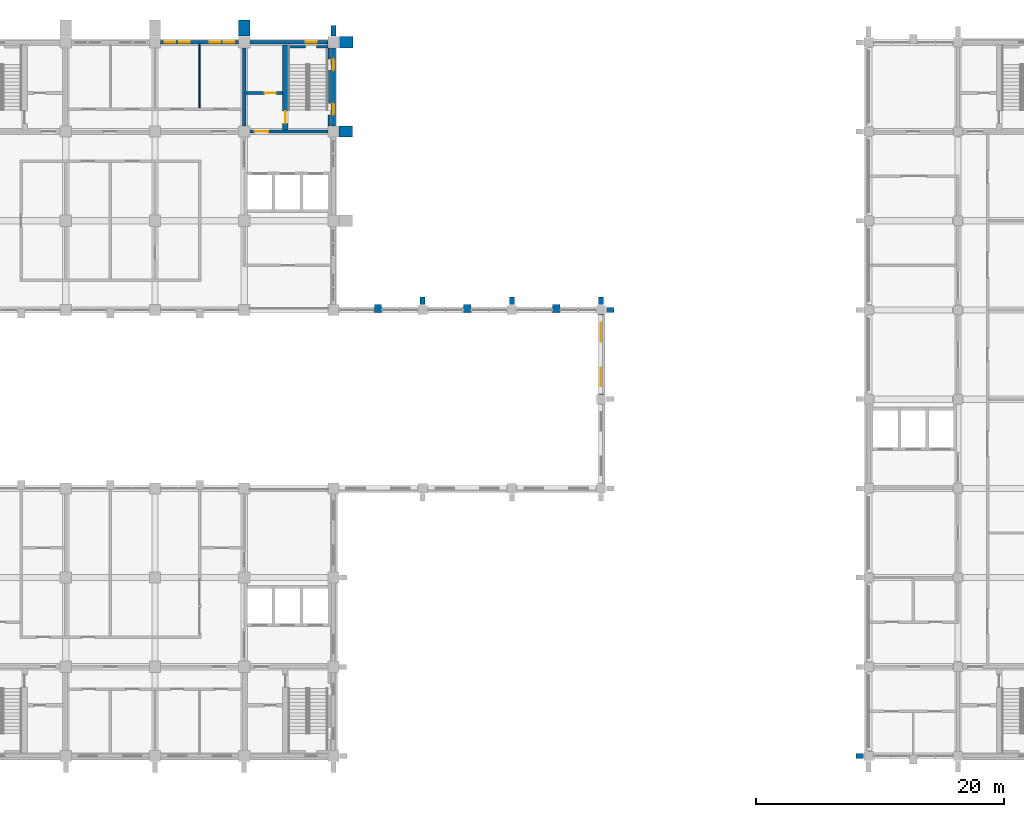
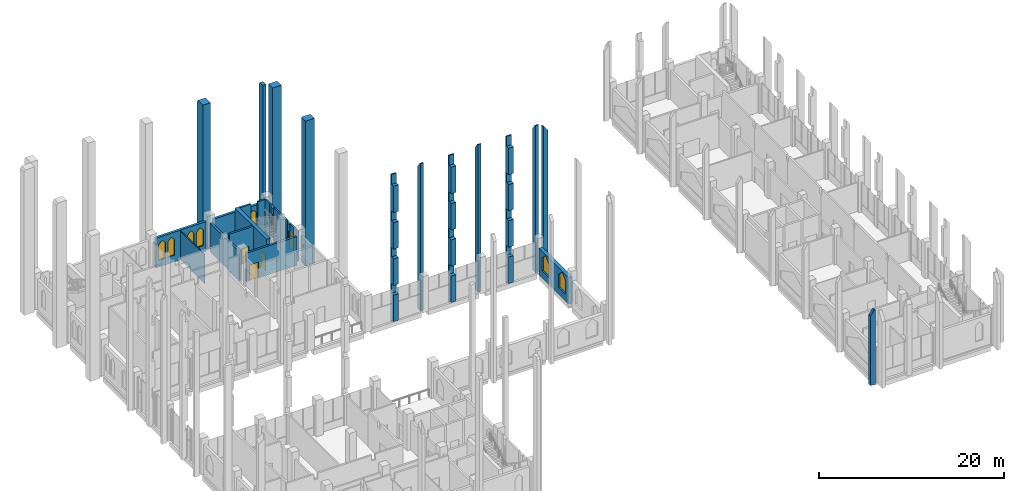
# One storey, part 33 of 40: 26 walls, 9 windows, 3 doors, 12 openings.
"""IFC4 building model written with IfcOpenShell, lengths in metres."""

from ifc_helpers import new_model, si_unit, direction, frame, frame_2d, origin, place, context, subcontext, project, spatial, polyline, rectangle, outline, extrude, material, layer, layer_set, type_object, element, fill, save


model = new_model("IFC4")

# Units and contexts
model_context = context("Model", 3, precision=1e-05, world=origin(), true_north=direction((0.0, 1.0)))
body_context = subcontext(model_context, "Body", "Model", "MODEL_VIEW")
ifc_project = project(units=[si_unit("LENGTHUNIT", "METRE"), si_unit("AREAUNIT", "SQUARE_METRE"), si_unit("VOLUMEUNIT", "CUBIC_METRE"), si_unit("PLANEANGLEUNIT", "RADIAN"), si_unit("MASSUNIT", "GRAM", prefix="KILO")], contexts=[model_context])

# Site, building, storey
site_placement = place(None, origin())
site = spatial("IfcSite", under=ifc_project, at=site_placement, CompositionType="ELEMENT")
building_placement = place(site_placement, origin())
building = spatial("IfcBuilding", under=site, at=building_placement, Name="Silangan Lancet Faculty of Sciences", CompositionType="ELEMENT")
storey_placement = place(building_placement, frame((0.0, 0.0, 21.60009765625)))
storey = spatial("IfcBuildingStorey", under=building, at=storey_placement, Name="L04", CompositionType="ELEMENT", Elevation=21.60009765625)

# Wall, openings, windows
ifc_material_1 = material(Name="Concrete C40/50 precast", Category="concrete")
ifc_layer_1 = layer(ifc_material_1, 0.300048828125)
ifc_layer_set_1 = layer_set([ifc_layer_1], Name="Concrete C40/50 precast")
wall_type_1 = type_object("IfcWallType", Name="EW1 Precast cladding wall", PredefinedType="STANDARD", material=ifc_layer_set_1)
wall_1_placement = place(storey_placement, frame((21.14990234375, 57.60009765625, 0.0), z_axis=(0.0, 0.0, 1.0), x_axis=(-1.0, 0.0, 0.0)))
wall_1 = element("IfcWall", 1, at=wall_1_placement, inside=storey, type_object=wall_type_1, Name="EW-L04-N-NT-01", PredefinedType="STANDARD", context=body_context, shape_type="SweptSolid", body=[
    extrude(rectangle(XDim=6.2998046875, YDim=0.300048828125, at=frame_2d((3.14990234375, 0.0))), origin(), (0.0, 0.0, 1.0), 3.949951171875),
])
opening_1_placement = place(wall_1_placement, frame((0.35009765625, 0.0, 0.89990234375)))
opening_1 = element("IfcOpeningElement", 2, at=opening_1_placement, cuts=wall_1, Name="Opening W14", PredefinedType="OPENING", context=body_context, shape_type="SweptSolid", body=[
    extrude(outline(polyline([(0.0, 0.0), (0.85009765625, 0.0), (0.85009765625, 2.050048828125), (0.425048828125, 2.5), (0.0, 2.050048828125), (0.0, 0.0)])), frame((0.0, 0.159912109375, 0.0), z_axis=(0.0, -1.0, 0.0), x_axis=(1.0, 0.0, 0.0)), (0.0, 0.0, 1.0), 0.320068359375),
])
opening_2_placement = place(wall_1_placement, frame((1.5, 0.0, 0.89990234375)))
opening_2 = element("IfcOpeningElement", 3, at=opening_2_placement, cuts=wall_1, Name="Opening W14", PredefinedType="OPENING", context=body_context, shape_type="SweptSolid", body=[
    extrude(outline(polyline([(0.0, 0.0), (0.85009765625, 0.0), (0.85009765625, 2.050048828125), (0.425048828125, 2.5), (0.0, 2.050048828125), (0.0, 0.0)])), frame((0.0, 0.159912109375, 0.0), z_axis=(0.0, -1.0, 0.0), x_axis=(1.0, 0.0, 0.0)), (0.0, 0.0, 1.0), 0.320068359375),
])
opening_3_placement = place(wall_1_placement, frame((3.949951171875, 0.0, 0.89990234375)))
opening_3 = element("IfcOpeningElement", 4, at=opening_3_placement, cuts=wall_1, Name="Opening W14", PredefinedType="OPENING", context=body_context, shape_type="SweptSolid", body=[
    extrude(outline(polyline([(0.0, 0.0), (0.85009765625, 0.0), (0.85009765625, 2.050048828125), (0.425048828125, 2.5), (0.0, 2.050048828125), (0.0, 0.0)])), frame((0.0, 0.159912109375, 0.0), z_axis=(0.0, -1.0, 0.0), x_axis=(1.0, 0.0, 0.0)), (0.0, 0.0, 1.0), 0.320068359375),
])
opening_4_placement = place(wall_1_placement, frame((5.10009765625, 0.0, 0.89990234375)))
opening_4 = element("IfcOpeningElement", 5, at=opening_4_placement, cuts=wall_1, Name="Opening W14", PredefinedType="OPENING", context=body_context, shape_type="SweptSolid", body=[
    extrude(outline(polyline([(0.0, 0.0), (0.85009765625, 0.0), (0.85009765625, 2.050048828125), (0.425048828125, 2.5), (0.0, 2.050048828125), (0.0, 0.0)])), frame((0.0, 0.159912109375, 0.0), z_axis=(0.0, -1.0, 0.0), x_axis=(1.0, 0.0, 0.0)), (0.0, 0.0, 1.0), 0.320068359375),
])
ifc_material_2 = material(Name="Aluminium frame, laminated double glazing", Category="aluminium")
window_type_1 = type_object("IfcWindowType", Name="W14 Lancet window 850 x 2500", PartitioningType="SINGLE_PANEL", PredefinedType="WINDOW", material=ifc_material_2)
window_1_placement = place(opening_1_placement, origin())
window_1 = element("IfcWindow", 6, at=window_1_placement, inside=storey, type_object=window_type_1, Name="WIN-L04-N-NT-01a1", OverallHeight=2.5, OverallWidth=0.85009765625, PartitioningType="SINGLE_PANEL", PredefinedType="WINDOW", context=body_context, shape_type="SweptSolid", body=[
    extrude(outline(polyline([(0.0, 0.0), (0.85009765625, 0.0), (0.85009765625, 2.050048828125), (0.425048828125, 2.5), (0.0, 2.050048828125), (0.0, 0.0)])), frame((0.0, 0.030029296875, 0.0), z_axis=(0.0, -1.0, 0.0), x_axis=(1.0, 0.0, 0.0)), (0.0, 0.0, 1.0), 0.06005859375),
])
fill(opening_1, window_1)
window_2_placement = place(opening_2_placement, origin())
window_2 = element("IfcWindow", 7, at=window_2_placement, inside=storey, type_object=window_type_1, Name="WIN-L04-N-NT-01a2", OverallHeight=2.5, OverallWidth=0.85009765625, PartitioningType="SINGLE_PANEL", PredefinedType="WINDOW", context=body_context, shape_type="SweptSolid", body=[
    extrude(outline(polyline([(0.0, 0.0), (0.85009765625, 0.0), (0.85009765625, 2.050048828125), (0.425048828125, 2.5), (0.0, 2.050048828125), (0.0, 0.0)])), frame((0.0, 0.030029296875, 0.0), z_axis=(0.0, -1.0, 0.0), x_axis=(1.0, 0.0, 0.0)), (0.0, 0.0, 1.0), 0.06005859375),
])
fill(opening_2, window_2)
window_3_placement = place(opening_3_placement, origin())
window_3 = element("IfcWindow", 8, at=window_3_placement, inside=storey, type_object=window_type_1, Name="WIN-L04-N-NT-01b1", OverallHeight=2.5, OverallWidth=0.85009765625, PartitioningType="SINGLE_PANEL", PredefinedType="WINDOW", context=body_context, shape_type="SweptSolid", body=[
    extrude(outline(polyline([(0.0, 0.0), (0.85009765625, 0.0), (0.85009765625, 2.050048828125), (0.425048828125, 2.5), (0.0, 2.050048828125), (0.0, 0.0)])), frame((0.0, 0.030029296875, 0.0), z_axis=(0.0, -1.0, 0.0), x_axis=(1.0, 0.0, 0.0)), (0.0, 0.0, 1.0), 0.06005859375),
])
fill(opening_3, window_3)
window_4_placement = place(opening_4_placement, origin())
window_4 = element("IfcWindow", 9, at=window_4_placement, inside=storey, type_object=window_type_1, Name="WIN-L04-N-NT-01b2", OverallHeight=2.5, OverallWidth=0.85009765625, PartitioningType="SINGLE_PANEL", PredefinedType="WINDOW", context=body_context, shape_type="SweptSolid", body=[
    extrude(outline(polyline([(0.0, 0.0), (0.85009765625, 0.0), (0.85009765625, 2.050048828125), (0.425048828125, 2.5), (0.0, 2.050048828125), (0.0, 0.0)])), frame((0.0, 0.030029296875, 0.0), z_axis=(0.0, -1.0, 0.0), x_axis=(1.0, 0.0, 0.0)), (0.0, 0.0, 1.0), 0.06005859375),
])
fill(opening_4, window_4)

# Wall, opening, window
ifc_material_3 = material(Name="Concrete C40/50 precast", Category="concrete")
ifc_layer_2 = layer(ifc_material_3, 0.300048828125)
ifc_layer_set_2 = layer_set([ifc_layer_2], Name="Concrete C40/50 precast")
wall_type_2 = type_object("IfcWallType", Name="EW2 Turret enclosure wall", PredefinedType="STANDARD", material=ifc_layer_set_2)
wall_2_placement = place(storey_placement, frame((28.35009765625, 57.60009765625, 0.0), z_axis=(0.0, 0.0, 1.0), x_axis=(-1.0, 0.0, 0.0)))
wall_2 = element("IfcWall", 10, at=wall_2_placement, inside=storey, type_object=wall_type_2, Name="EW-L04-N-NT-00", PredefinedType="STANDARD", context=body_context, shape_type="SweptSolid", body=[
    extrude(rectangle(XDim=6.300048828125, YDim=0.300048828125, at=frame_2d((3.14990234375, 0.0))), origin(), (0.0, 0.0, 1.0), 3.949951171875),
])
opening_5_placement = place(wall_2_placement, frame((0.89990234375, 0.0, 0.89990234375)))
opening_5 = element("IfcOpeningElement", 11, at=opening_5_placement, cuts=wall_2, Name="Opening W11", PredefinedType="OPENING", context=body_context, shape_type="SweptSolid", body=[
    extrude(outline(polyline([(0.0, 0.0), (0.89990234375, 0.0), (0.89990234375, 2.050048828125), (0.449951171875, 2.5), (0.0, 2.050048828125), (0.0, 0.0)])), frame((0.0, 0.159912109375, 0.0), z_axis=(0.0, -1.0, 0.0), x_axis=(1.0, 0.0, 0.0)), (0.0, 0.0, 1.0), 0.320068359375),
])
ifc_material_4 = material(Name="Aluminium frame, laminated double glazing", Category="aluminium")
window_type_2 = type_object("IfcWindowType", Name="W11 Lancet window 900 x 2500", PartitioningType="SINGLE_PANEL", PredefinedType="WINDOW", material=ifc_material_4)
window_5_placement = place(opening_5_placement, origin())
window_5 = element("IfcWindow", 12, at=window_5_placement, inside=storey, type_object=window_type_2, Name="WIN-L04-N-NT-00a", OverallHeight=2.5, OverallWidth=0.89990234375, PartitioningType="SINGLE_PANEL", PredefinedType="WINDOW", context=body_context, shape_type="SweptSolid", body=[
    extrude(outline(polyline([(0.0, 0.0), (0.89990234375, 0.0), (0.89990234375, 2.050048828125), (0.449951171875, 2.5), (0.0, 2.050048828125), (0.0, 0.0)])), frame((0.0, 0.030029296875, 0.0), z_axis=(0.0, -1.0, 0.0), x_axis=(1.0, 0.0, 0.0)), (0.0, 0.0, 1.0), 0.06005859375),
])
fill(opening_5, window_5)

# Wall, openings, windows
wall_3_placement = place(storey_placement, frame((28.800048828125, 50.85009765625, 0.0), z_axis=(0.0, 0.0, 1.0), x_axis=(0.0, 1.0, 0.0)))
wall_3 = element("IfcWall", 13, at=wall_3_placement, inside=storey, type_object=wall_type_2, Name="EW-L04-E-NT-02", PredefinedType="STANDARD", context=body_context, shape_type="SweptSolid", body=[
    extrude(rectangle(XDim=6.2998046875, YDim=0.300048828125, at=frame_2d((3.14990234375, 0.0))), origin(), (0.0, 0.0, 1.0), 3.949951171875),
])
opening_6_placement = place(wall_3_placement, frame((0.89990234375, 0.0, 0.89990234375)))
opening_6 = element("IfcOpeningElement", 14, at=opening_6_placement, cuts=wall_3, Name="Opening W11", PredefinedType="OPENING", context=body_context, shape_type="SweptSolid", body=[
    extrude(outline(polyline([(0.0, 0.0), (0.89990234375, 0.0), (0.89990234375, 2.050048828125), (0.449951171875, 2.5), (0.0, 2.050048828125), (0.0, 0.0)])), frame((0.0, 0.159912109375, 0.0), z_axis=(0.0, -1.0, 0.0), x_axis=(1.0, 0.0, 0.0)), (0.0, 0.0, 1.0), 0.320068359375),
])
opening_7_placement = place(wall_3_placement, frame((4.5, 0.0, 0.89990234375)))
opening_7 = element("IfcOpeningElement", 15, at=opening_7_placement, cuts=wall_3, Name="Opening W11", PredefinedType="OPENING", context=body_context, shape_type="SweptSolid", body=[
    extrude(outline(polyline([(0.0, 0.0), (0.89990234375, 0.0), (0.89990234375, 2.050048828125), (0.449951171875, 2.5), (0.0, 2.050048828125), (0.0, 0.0)])), frame((0.0, 0.159912109375, 0.0), z_axis=(0.0, -1.0, 0.0), x_axis=(1.0, 0.0, 0.0)), (0.0, 0.0, 1.0), 0.320068359375),
])
window_6_placement = place(opening_6_placement, origin())
window_6 = element("IfcWindow", 16, at=window_6_placement, inside=storey, type_object=window_type_2, Name="WIN-L04-E-NT-02a", OverallHeight=2.5, OverallWidth=0.89990234375, PartitioningType="SINGLE_PANEL", PredefinedType="WINDOW", context=body_context, shape_type="SweptSolid", body=[
    extrude(outline(polyline([(0.0, 0.0), (0.89990234375, 0.0), (0.89990234375, 2.050048828125), (0.449951171875, 2.5), (0.0, 2.050048828125), (0.0, 0.0)])), frame((0.0, 0.030029296875, 0.0), z_axis=(0.0, -1.0, 0.0), x_axis=(1.0, 0.0, 0.0)), (0.0, 0.0, 1.0), 0.06005859375),
])
fill(opening_6, window_6)
window_7_placement = place(opening_7_placement, origin())
window_7 = element("IfcWindow", 17, at=window_7_placement, inside=storey, type_object=window_type_2, Name="WIN-L04-E-NT-02b", OverallHeight=2.5, OverallWidth=0.89990234375, PartitioningType="SINGLE_PANEL", PredefinedType="WINDOW", context=body_context, shape_type="SweptSolid", body=[
    extrude(outline(polyline([(0.0, 0.0), (0.89990234375, 0.0), (0.89990234375, 2.050048828125), (0.449951171875, 2.5), (0.0, 2.050048828125), (0.0, 0.0)])), frame((0.0, 0.030029296875, 0.0), z_axis=(0.0, -1.0, 0.0), x_axis=(1.0, 0.0, 0.0)), (0.0, 0.0, 1.0), 0.06005859375),
])
fill(opening_7, window_7)

ifc_material_5 = material(Name="Concrete C40/50", Category="concrete")
ifc_layer_3 = layer(ifc_material_5, 0.449951171875)
ifc_layer_set_3 = layer_set([ifc_layer_3], Name="Concrete C40/50")
wall_type_3 = type_object("IfcWallType", Name="EW8 Clerestory wall with deep reveals", PredefinedType="STANDARD", material=ifc_layer_set_3)
wall_4_placement = place(storey_placement, frame((50.39990234375, 29.175048828125, 0.0), z_axis=(0.0, 0.0, 1.0), x_axis=(0.0, 1.0, 0.0)))
wall_4 = element("IfcWall", 18, at=wall_4_placement, inside=storey, type_object=wall_type_3, Name="EW-L04-E-NAVE-01", PredefinedType="STANDARD", context=body_context, shape_type="SweptSolid", body=[
    extrude(rectangle(XDim=6.449951171875, YDim=0.449951171875, at=frame_2d((3.22509765625, 0.0))), origin(), (0.0, 0.0, 1.0), 3.5),
])
opening_8_placement = place(wall_4_placement, frame((0.675048828125, 0.0, 0.89990234375)))
opening_8 = element("IfcOpeningElement", 19, at=opening_8_placement, cuts=wall_4, Name="Opening W12", PredefinedType="OPENING", context=body_context, shape_type="SweptSolid", body=[
    extrude(outline(polyline([(0.0, 0.0), (1.5, 0.0), (1.5, 1.75), (0.75, 2.5), (0.0, 1.75), (0.0, 0.0)])), frame((0.0, 0.23486328125, 0.0), z_axis=(0.0, -1.0, 0.0), x_axis=(1.0, 0.0, 0.0)), (0.0, 0.0, 1.0), 0.469970703125),
])
opening_9_placement = place(wall_4_placement, frame((4.27490234375, 0.0, 0.89990234375)))
opening_9 = element("IfcOpeningElement", 20, at=opening_9_placement, cuts=wall_4, Name="Opening W13", PredefinedType="OPENING", context=body_context, shape_type="SweptSolid", body=[
    extrude(outline(polyline([(0.0, 0.0), (1.5, 0.0), (1.5, 1.75), (0.75, 2.5), (0.0, 1.75), (0.0, 0.0)])), frame((0.0, 0.23486328125, 0.0), z_axis=(0.0, -1.0, 0.0), x_axis=(1.0, 0.0, 0.0)), (0.0, 0.0, 1.0), 0.469970703125),
])
ifc_material_6 = material(Name="Aluminium frame, laminated double glazing", Category="aluminium")
window_type_3 = type_object("IfcWindowType", Name="W12 Lancet window 1500 x 2500", PartitioningType="SINGLE_PANEL", PredefinedType="WINDOW", material=ifc_material_6)
window_8_placement = place(opening_8_placement, origin())
window_8 = element("IfcWindow", 21, at=window_8_placement, inside=storey, type_object=window_type_3, Name="WIN-L04-E-NAVE-01a", OverallHeight=2.5, OverallWidth=1.5, PartitioningType="SINGLE_PANEL", PredefinedType="WINDOW", context=body_context, shape_type="SweptSolid", body=[
    extrude(outline(polyline([(0.0, 0.0), (1.5, 0.0), (1.5, 1.75), (0.75, 2.5), (0.0, 1.75), (0.0, 0.0)])), frame((0.0, 0.030029296875, 0.0), z_axis=(0.0, -1.0, 0.0), x_axis=(1.0, 0.0, 0.0)), (0.0, 0.0, 1.0), 0.06005859375),
])
fill(opening_8, window_8)
ifc_material_7 = material(Name="Aluminium storm louvre blades", Category="aluminium")
window_type_4 = type_object("IfcWindowType", Name="W13 Storm louvre lancet 1500 x 2500", PartitioningType="SINGLE_PANEL", PredefinedType="WINDOW", material=ifc_material_7)
window_9_placement = place(opening_9_placement, origin())
window_9 = element("IfcWindow", 22, at=window_9_placement, inside=storey, type_object=window_type_4, Name="WIN-L04-E-NAVE-01b", OverallHeight=2.5, OverallWidth=1.5, PartitioningType="SINGLE_PANEL", PredefinedType="WINDOW", context=body_context, shape_type="SweptSolid", body=[
    extrude(outline(polyline([(0.0, 0.0), (1.5, 0.0), (1.5, 1.75), (0.75, 2.5), (0.0, 1.75), (0.0, 0.0)])), frame((0.0, 0.030029296875, 0.0), z_axis=(0.0, -1.0, 0.0), x_axis=(1.0, 0.0, 0.0)), (0.0, 0.0, 1.0), 0.06005859375),
])
fill(opening_9, window_9)

# Walls
ifc_material_8 = material(Name="Concrete C40/50 precast", Category="concrete")
ifc_layer_4 = layer(ifc_material_8, 0.39990234375)
ifc_layer_set_4 = layer_set([ifc_layer_4], Name="Concrete C40/50 precast")
wall_type_4 = type_object("IfcWallType", Name="FN11 Buttress Fin column line stage 2 19200", PredefinedType="POLYGONAL", material=ifc_layer_set_4)
wall_5_placement = place(storey_placement, frame((28.800048828125, 58.10009765625, -0.25), z_axis=(0.0, 0.0, 1.0), x_axis=(0.0, 1.0, 0.0)))
element("IfcWall", 23, at=wall_5_placement, inside=storey, type_object=wall_type_4, Name="FINC-N-NAB-01-S2", PredefinedType="POLYGONAL", context=body_context, shape_type="SweptSolid", body=[
    extrude(outline(polyline([(0.85009765625, 0.0), (0.85009765625, 18.89990234375), (0.64990234375, 19.199951171875), (0.0, 19.199951171875), (0.0, 0.0), (0.85009765625, 0.0)])), frame((0.0, 0.199951171875, 0.0), z_axis=(0.0, -1.0, 0.0), x_axis=(1.0, 0.0, 0.0)), (0.0, 0.0, 1.0), 0.39990234375),
])
ifc_material_9 = material(Name="Concrete C40/50 precast", Category="concrete")
ifc_layer_5 = layer(ifc_material_9, 0.39990234375)
ifc_layer_set_5 = layer_set([ifc_layer_5], Name="Concrete C40/50 precast")
wall_type_5 = type_object("IfcWallType", Name="FN24 Buttress Fin column line stage 2 19450", PredefinedType="POLYGONAL", material=ifc_layer_set_5)
for number, where, z_axis, x_axis, name in (
    (24, (36.0, 36.425048828125, -0.25), (0.0, 0.0, 1.0), (0.0, 1.0, 0.0), "FINC-N-NAVE-CL-01-S2"),
    (25, (43.199951171875, 36.425048828125, -0.25), (0.0, 0.0, 1.0), (0.0, 1.0, 0.0), "FINC-N-NAVE-CL-02-S2"),
    (26, (50.39990234375, 36.425048828125, -0.25), (0.0, 0.0, 1.0), (0.0, 1.0, 0.0), "FINC-N-NAVE-CL-03-S2"),
    (27, (50.824951171875, 36.0, -0.25), (0.0, 0.0, 1.0), (1.0, 0.0, 0.0), "FINC-E-NAVE-03-S2"),
):
    element("IfcWall", number, at=place(storey_placement, frame(where, z_axis=z_axis, x_axis=x_axis)), inside=storey, type_object=wall_type_5, Name=name, PredefinedType="POLYGONAL", context=body_context, shape_type="SweptSolid", body=[
        extrude(outline(polyline([(0.60009765625, 0.0), (0.60009765625, 18.77490234375), (0.14990234375, 19.449951171875), (0.0, 19.449951171875), (0.0, 0.0), (0.60009765625, 0.0)])), frame((0.0, 0.199951171875, 0.0), z_axis=(0.0, -1.0, 0.0), x_axis=(1.0, 0.0, 0.0)), (0.0, 0.0, 1.0), 0.39990234375),
    ])
ifc_material_10 = material(Name="Concrete C40/50 precast", Category="concrete")
ifc_layer_6 = layer(ifc_material_10, 0.89990234375)
ifc_layer_set_6 = layer_set([ifc_layer_6], Name="Concrete C40/50 precast")
wall_type_6 = type_object("IfcWallType", Name="FN29 Buttress Fin column line stage 2 19200", PredefinedType="POLYGONAL", material=ifc_layer_set_6)
wall_6_placement = place(storey_placement, frame((21.60009765625, 58.10009765625, -0.25), z_axis=(0.0, 0.0, 1.0), x_axis=(0.0, 1.0, 0.0)))
element("IfcWall", 28, at=wall_6_placement, inside=storey, type_object=wall_type_6, Name="FINC-N-NT-04-S2", PredefinedType="POLYGONAL", context=body_context, shape_type="SweptSolid", body=[
    extrude(outline(polyline([(1.300048828125, 0.0), (1.300048828125, 18.89990234375), (1.10009765625, 19.199951171875), (0.0, 19.199951171875), (0.0, 0.0), (1.300048828125, 0.0)])), frame((0.0, 0.449951171875, 0.0), z_axis=(0.0, -1.0, 0.0), x_axis=(1.0, 0.0, 0.0)), (0.0, 0.0, 1.0), 0.89990234375),
])
ifc_material_11 = material(Name="Concrete C40/50 precast", Category="concrete")
ifc_layer_7 = layer(ifc_material_11, 0.89990234375)
ifc_layer_set_7 = layer_set([ifc_layer_7], Name="Concrete C40/50 precast")
wall_type_7 = type_object("IfcWallType", Name="FN47 Buttress Fin column line stage 2 19200", PredefinedType="POLYGONAL", material=ifc_layer_set_7)
wall_7_placement = place(storey_placement, frame((29.25, 50.39990234375, -0.25), z_axis=(0.0, 0.0, 1.0), x_axis=(1.0, 0.0, 0.0)))
element("IfcWall", 29, at=wall_7_placement, inside=storey, type_object=wall_type_7, Name="FINC-E-NT-03-S2", PredefinedType="POLYGONAL", context=body_context, shape_type="SweptSolid", body=[
    extrude(outline(polyline([(1.10009765625, 0.0), (1.10009765625, 19.199951171875), (0.0, 19.199951171875), (0.0, 0.0), (1.10009765625, 0.0)])), frame((0.0, 0.449951171875, 0.0), z_axis=(0.0, -1.0, 0.0), x_axis=(1.0, 0.0, 0.0)), (0.0, 0.0, 1.0), 0.89990234375),
])
ifc_material_12 = material(Name="Concrete C40/50 precast", Category="concrete")
ifc_layer_8 = layer(ifc_material_12, 0.89990234375)
ifc_layer_set_8 = layer_set([ifc_layer_8], Name="Concrete C40/50 precast")
wall_type_8 = type_object("IfcWallType", Name="FN51 Buttress Fin column line stage 2 19200", PredefinedType="POLYGONAL", material=ifc_layer_set_8)
wall_8_placement = place(storey_placement, frame((29.300048828125, 57.60009765625, -0.25), z_axis=(0.0, 0.0, 1.0), x_axis=(1.0, 0.0, 0.0)))
element("IfcWall", 30, at=wall_8_placement, inside=storey, type_object=wall_type_8, Name="FINC-E-NT-04-S2", PredefinedType="POLYGONAL", context=body_context, shape_type="SweptSolid", body=[
    extrude(outline(polyline([(1.10009765625, 0.0), (1.10009765625, 19.199951171875), (0.0, 19.199951171875), (0.0, 0.0), (1.10009765625, 0.0)])), frame((0.0, 0.449951171875, 0.0), z_axis=(0.0, -1.0, 0.0), x_axis=(1.0, 0.0, 0.0)), (0.0, 0.0, 1.0), 0.89990234375),
])
ifc_material_13 = material(Name="Concrete C40/50 precast", Category="concrete")
ifc_layer_9 = layer(ifc_material_13, 0.39990234375)
ifc_layer_set_9 = layer_set([ifc_layer_9], Name="Concrete C40/50 precast")
wall_type_9 = type_object("IfcWallType", Name="FN54 Buttress Fin column line stage 2 9850", PredefinedType="POLYGONAL", material=ifc_layer_set_9)
wall_9_placement = place(storey_placement, frame((71.574951171875, 0.0, -0.25), z_axis=(0.0, 0.0, 1.0), x_axis=(-1.0, 0.0, 0.0)))
element("IfcWall", 31, at=wall_9_placement, inside=storey, type_object=wall_type_9, Name="FINC-W-EB-01-S2", PredefinedType="POLYGONAL", context=body_context, shape_type="SweptSolid", body=[
    extrude(outline(polyline([(0.60009765625, 0.0), (0.60009765625, 9.1748046875), (0.14990234375, 9.849853515625), (0.0, 9.849853515625), (0.0, 0.0), (0.60009765625, 0.0)])), frame((0.0, 0.199951171875, 0.0), z_axis=(0.0, -1.0, 0.0), x_axis=(1.0, 0.0, 0.0)), (0.0, 0.0, 1.0), 0.39990234375),
])
ifc_material_14 = material(Name="Concrete C40/50 precast", Category="concrete")
ifc_layer_10 = layer(ifc_material_14, 0.60009765625)
ifc_layer_set_10 = layer_set([ifc_layer_10], Name="Concrete C40/50 precast")
wall_type_10 = type_object("IfcWallType", Name="FN8 Buttress Fin mid-bay stage 2 19450", PredefinedType="POLYGONAL", material=ifc_layer_set_10)
for number, where, z_axis, x_axis, name in (
    (32, (46.800048828125, 35.800048828125, -0.25), (0.0, 0.0, 1.0), (0.0, 1.0, 0.0), "FIN-CL-N-1-S2"),
    (33, (39.60009765625, 35.800048828125, -0.25), (0.0, 0.0, 1.0), (0.0, 1.0, 0.0), "FIN-CL-N-3-S2"),
    (34, (32.39990234375, 35.800048828125, -0.25), (0.0, 0.0, 1.0), (0.0, 1.0, 0.0), "FIN-CL-N-5-S2"),
):
    element("IfcWall", number, at=place(storey_placement, frame(where, z_axis=z_axis, x_axis=x_axis)), inside=storey, type_object=wall_type_10, Name=name, PredefinedType="POLYGONAL", context=body_context, shape_type="SweptSolid", body=[
        extrude(outline(polyline([(0.64990234375, 0.0), (0.64990234375, 19.375), (0.60009765625, 19.449951171875), (0.449951171875, 19.449951171875), (0.449951171875, 18.14990234375), (0.0, 18.14990234375), (0.0, 14.64990234375), (0.449951171875, 14.64990234375), (0.449951171875, 13.349853515625), (0.0, 13.349853515625), (0.0, 9.849853515625), (0.449951171875, 9.849853515625), (0.449951171875, 8.5498046875), (0.0, 8.5498046875), (0.0, 5.0498046875), (0.449951171875, 5.0498046875), (0.449951171875, 3.75), (0.0, 3.75), (0.0, 0.25), (0.449951171875, 0.25), (0.449951171875, 0.0), (0.64990234375, 0.0)])), frame((0.0, 0.300048828125, 0.0), z_axis=(0.0, -1.0, 0.0), x_axis=(1.0, 0.0, 0.0)), (0.0, 0.0, 1.0), 0.60009765625),
    ])
ifc_material_15 = material(Name="Hollow block masonry fm 7 MPa", Category="masonry")
ifc_layer_11 = layer(ifc_material_15, 0.10009765625)
ifc_layer_set_11 = layer_set([ifc_layer_11], Name="Hollow block masonry fm 7 MPa")
wall_type_11 = type_object("IfcWallType", Name="Interior wall PW8 WC partition CHB 100", PredefinedType="PARTITIONING", material=ifc_layer_set_11)
wall_10_placement = place(storey_placement, frame((18.0, 52.300048828125, 0.0), z_axis=(0.0, 0.0, 1.0), x_axis=(0.0, 1.0, 0.0)))
element("IfcWall", 35, at=wall_10_placement, inside=storey, type_object=wall_type_11, Name="WC partition CHB 100", PredefinedType="PARTITIONING", context=body_context, shape_type="SweptSolid", body=[
    extrude(rectangle(XDim=5.14990234375, YDim=0.10009765625, at=frame_2d((2.574951171875, 0.0))), origin(), (0.0, 0.0, 1.0), 3.7998046875),
])

# Wall, opening, door
ifc_material_16 = material(Name="Concrete C40/50", Category="concrete")
ifc_layer_12 = layer(ifc_material_16, 0.449951171875)
ifc_layer_set_12 = layer_set([ifc_layer_12], Name="Concrete C40/50")
wall_type_12 = type_object("IfcWallType", Name="TURRET CORE WALL RC 450", PredefinedType="SHEAR", material=ifc_layer_set_12)
wall_11_placement = place(storey_placement, frame((24.925048828125, 50.52490234375, 0.0), z_axis=(0.0, 0.0, 1.0), x_axis=(0.0, 1.0, 0.0)))
wall_11 = element("IfcWall", 36, at=wall_11_placement, inside=storey, type_object=wall_type_12, Name="WALL-L04-NT-B-WELL", PredefinedType="SHEAR", context=body_context, shape_type="SweptSolid", body=[
    extrude(rectangle(XDim=6.85009765625, YDim=0.449951171875, at=frame_2d((3.425048828125, 0.0))), origin(), (0.0, 0.0, 1.0), 4.5498046875),
])
opening_10_placement = place(wall_11_placement, frame((0.52490234375, 0.0, 0.0)))
opening_10 = element("IfcOpeningElement", 37, at=opening_10_placement, cuts=wall_11, Name="Opening L04-710", PredefinedType="OPENING", context=body_context, shape_type="SweptSolid", body=[
    extrude(rectangle(XDim=1.0, YDim=2.10009765625, at=frame_2d((0.5, 1.050048828125))), frame((0.0, 0.23486328125, 0.0), z_axis=(0.0, -1.0, 0.0), x_axis=(1.0, 0.0, 0.0)), (0.0, 0.0, 1.0), 0.469970703125),
])
ifc_material_17 = material(Name="Steel fire door set", Category="steel")
door_type_1 = type_object("IfcDoorType", Name="D71 Stair enclosure door 1000x2100", OperationType="SINGLE_SWING_LEFT", PredefinedType="DOOR", material=ifc_material_17)
door_1_placement = place(opening_10_placement, frame((1.0, 0.0, 0.0), z_axis=(0.0, 0.0, 1.0), x_axis=(-1.0, 0.0, 0.0)))
door_1 = element("IfcDoor", 38, at=door_1_placement, inside=storey, type_object=door_type_1, Name="Stair enclosure door NT-B L04", OperationType="SINGLE_SWING_RIGHT", OverallHeight=2.10009765625, OverallWidth=1.0, PredefinedType="DOOR", context=body_context, shape_type="SweptSolid", body=[
    extrude(rectangle(XDim=1.0, YDim=2.10009765625, at=frame_2d((0.5, 1.050048828125))), frame((0.0, 0.025146484375, 0.0), z_axis=(0.0, -1.0, 0.0), x_axis=(1.0, 0.0, 0.0)), (0.0, 0.0, 1.0), 0.050048828125),
])
fill(opening_10, door_1)

# Walls
ifc_material_18 = material(Name="Concrete C40/50", Category="concrete")
ifc_layer_13 = layer(ifc_material_18, 0.199951171875)
ifc_layer_set_13 = layer_set([ifc_layer_13], Name="Concrete C40/50")
wall_type_13 = type_object("IfcWallType", Name="TURRET LINING WALL RC 200", PredefinedType="SHEAR", material=ifc_layer_set_13)
wall_12_placement = place(storey_placement, frame((28.449951171875, 50.85009765625, -0.25), z_axis=(0.0, 0.0, 1.0), x_axis=(0.0, 1.0, 0.0)))
element("IfcWall", 39, at=wall_12_placement, inside=storey, type_object=wall_type_13, Name="WALL-L04-NT-B-WL", PredefinedType="SHEAR", context=body_context, shape_type="SweptSolid", body=[
    extrude(rectangle(XDim=0.89990234375, YDim=0.199951171875, at=frame_2d((0.449951171875, 0.0))), origin(), (0.0, 0.0, 1.0), 4.7998046875),
])
wall_13_placement = place(storey_placement, frame((28.449951171875, 52.64990234375, -0.25), z_axis=(0.0, 0.0, 1.0), x_axis=(0.0, 1.0, 0.0)))
element("IfcWall", 40, at=wall_13_placement, inside=storey, type_object=wall_type_13, Name="WALL-L04-NT-B-WL-2", PredefinedType="SHEAR", context=body_context, shape_type="SweptSolid", body=[
    extrude(rectangle(XDim=2.7001953125, YDim=0.199951171875, at=frame_2d((1.35009765625, 0.0))), origin(), (0.0, 0.0, 1.0), 4.7998046875),
])
wall_14_placement = place(storey_placement, frame((28.449951171875, 56.25, -0.25), z_axis=(0.0, 0.0, 1.0), x_axis=(0.0, 1.0, 0.0)))
element("IfcWall", 41, at=wall_14_placement, inside=storey, type_object=wall_type_13, Name="WALL-L04-NT-B-WL-3", PredefinedType="SHEAR", context=body_context, shape_type="SweptSolid", body=[
    extrude(rectangle(XDim=0.89990234375, YDim=0.199951171875, at=frame_2d((0.449951171875, 0.0))), origin(), (0.0, 0.0, 1.0), 4.7998046875),
])
wall_15_placement = place(storey_placement, frame((25.14990234375, 57.25, -0.25), z_axis=(0.0, 0.0, 1.0), x_axis=(1.0, 0.0, 0.0)))
element("IfcWall", 42, at=wall_15_placement, inside=storey, type_object=wall_type_13, Name="WALL-L04-NT-B-WLD", PredefinedType="SHEAR", context=body_context, shape_type="SweptSolid", body=[
    extrude(rectangle(XDim=1.400146484375, YDim=0.199951171875, at=frame_2d((0.7001953125, 0.0))), origin(), (0.0, 0.0, 1.0), 4.7998046875),
])
wall_16_placement = place(storey_placement, frame((27.449951171875, 57.25, -0.25), z_axis=(0.0, 0.0, 1.0), x_axis=(1.0, 0.0, 0.0)))
element("IfcWall", 43, at=wall_16_placement, inside=storey, type_object=wall_type_13, Name="WALL-L04-NT-B-WLD-2", PredefinedType="SHEAR", context=body_context, shape_type="SweptSolid", body=[
    extrude(rectangle(XDim=0.900146484375, YDim=0.199951171875, at=frame_2d((0.4501953125, 0.0))), origin(), (0.0, 0.0, 1.0), 4.7998046875),
])

# Wall, opening, door
ifc_material_19 = material(Name="Concrete C40/50", Category="concrete")
ifc_layer_14 = layer(ifc_material_19, 0.25)
ifc_layer_set_14 = layer_set([ifc_layer_14], Name="Concrete C40/50")
wall_type_14 = type_object("IfcWallType", Name="TURRET WALL RC 250", PredefinedType="SHEAR", material=ifc_layer_set_14)
wall_17_placement = place(storey_placement, frame((22.050048828125, 50.39990234375, 0.0), z_axis=(0.0, 0.0, 1.0), x_axis=(1.0, 0.0, 0.0)))
wall_17 = element("IfcWall", 44, at=wall_17_placement, inside=storey, type_object=wall_type_14, Name="WALL-L04-NT-B-V", PredefinedType="SHEAR", context=body_context, shape_type="SweptSolid", body=[
    extrude(rectangle(XDim=6.300048828125, YDim=0.25, at=frame_2d((3.14990234375, 0.0))), origin(), (0.0, 0.0, 1.0), 3.7998046875),
])
opening_11_placement = place(wall_17_placement, frame((0.39990234375, 0.0, 0.0)))
opening_11 = element("IfcOpeningElement", 45, at=opening_11_placement, cuts=wall_17, Name="Opening L04-711", PredefinedType="OPENING", context=body_context, shape_type="SweptSolid", body=[
    extrude(rectangle(XDim=1.10009765625, YDim=2.10009765625, at=frame_2d((0.550048828125, 1.050048828125))), frame((0.0, 0.135009765625, 0.0), z_axis=(0.0, -1.0, 0.0), x_axis=(1.0, 0.0, 0.0)), (0.0, 0.0, 1.0), 0.27001953125),
])
ifc_material_20 = material(Name="Steel fire door set", Category="steel")
door_type_2 = type_object("IfcDoorType", Name="D70 Stair vestibule door 1100x2100", OperationType="SINGLE_SWING_LEFT", PredefinedType="DOOR", material=ifc_material_20)
door_2_placement = place(opening_11_placement, origin())
door_2 = element("IfcDoor", 46, at=door_2_placement, inside=storey, type_object=door_type_2, Name="Stair vestibule door NT-B L04", OperationType="SINGLE_SWING_LEFT", OverallHeight=2.10009765625, OverallWidth=1.10009765625, PredefinedType="DOOR", context=body_context, shape_type="SweptSolid", body=[
    extrude(rectangle(XDim=1.10009765625, YDim=2.10009765625, at=frame_2d((0.550048828125, 1.050048828125))), frame((0.0, 0.02490234375, 0.0), z_axis=(0.0, -1.0, 0.0), x_axis=(1.0, 0.0, 0.0)), (0.0, 0.0, 1.0), 0.050048828125),
])
fill(opening_11, door_2)

# Wall
wall_18_placement = place(storey_placement, frame((21.60009765625, 50.85009765625, 0.0), z_axis=(0.0, 0.0, 1.0), x_axis=(0.0, 1.0, 0.0)))
element("IfcWall", 47, at=wall_18_placement, inside=storey, type_object=wall_type_14, Name="WALL-L04-NT-B-O", PredefinedType="SHEAR", context=body_context, shape_type="SweptSolid", body=[
    extrude(rectangle(XDim=6.2998046875, YDim=0.25, at=frame_2d((3.14990234375, 0.0))), origin(), (0.0, 0.0, 1.0), 3.7998046875),
])

# Wall, opening, door
wall_19_placement = place(storey_placement, frame((21.72509765625, 53.5, 0.0), z_axis=(0.0, 0.0, 1.0), x_axis=(1.0, 0.0, 0.0)))
wall_19 = element("IfcWall", 48, at=wall_19_placement, inside=storey, type_object=wall_type_14, Name="WALL-L04-NT-B-RISER", PredefinedType="SHEAR", context=body_context, shape_type="SweptSolid", body=[
    extrude(rectangle(XDim=2.974853515625, YDim=0.25, at=frame_2d((1.4873046875, 0.0))), origin(), (0.0, 0.0, 1.0), 4.5498046875),
])
opening_12_placement = place(wall_19_placement, frame((1.52490234375, 0.0, 0.0)))
opening_12 = element("IfcOpeningElement", 49, at=opening_12_placement, cuts=wall_19, Name="Opening L04-712", PredefinedType="OPENING", context=body_context, shape_type="SweptSolid", body=[
    extrude(rectangle(XDim=0.89990234375, YDim=2.10009765625, at=frame_2d((0.449951171875, 1.050048828125))), frame((0.0, 0.135009765625, 0.0), z_axis=(0.0, -1.0, 0.0), x_axis=(1.0, 0.0, 0.0)), (0.0, 0.0, 1.0), 0.27001953125),
])
ifc_material_21 = material(Name="Steel fire door set", Category="steel")
door_type_3 = type_object("IfcDoorType", Name="D72 Riser access door 900x2100", OperationType="SINGLE_SWING_LEFT", PredefinedType="DOOR", material=ifc_material_21)
door_3_placement = place(opening_12_placement, origin())
door_3 = element("IfcDoor", 50, at=door_3_placement, inside=storey, type_object=door_type_3, Name="Riser access door NT-B L04", OperationType="SINGLE_SWING_LEFT", OverallHeight=2.10009765625, OverallWidth=0.89990234375, PredefinedType="DOOR", context=body_context, shape_type="SweptSolid", body=[
    extrude(rectangle(XDim=0.89990234375, YDim=2.10009765625, at=frame_2d((0.449951171875, 1.050048828125))), frame((0.0, 0.02490234375, 0.0), z_axis=(0.0, -1.0, 0.0), x_axis=(1.0, 0.0, 0.0)), (0.0, 0.0, 1.0), 0.050048828125),
])
fill(opening_12, door_3)

save(model, "model.ifc")
